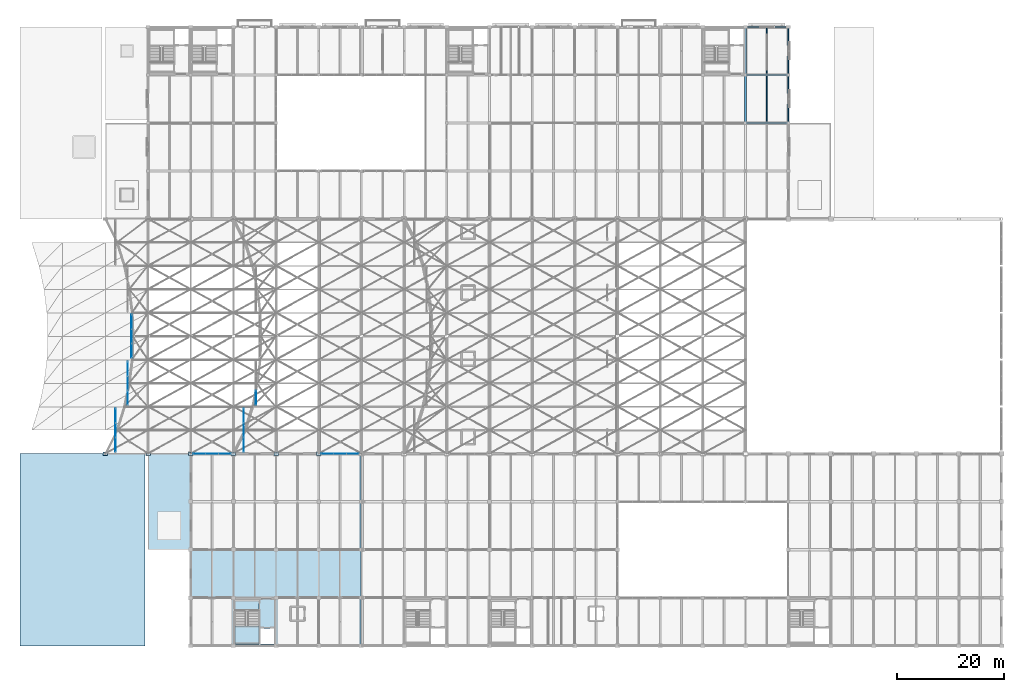
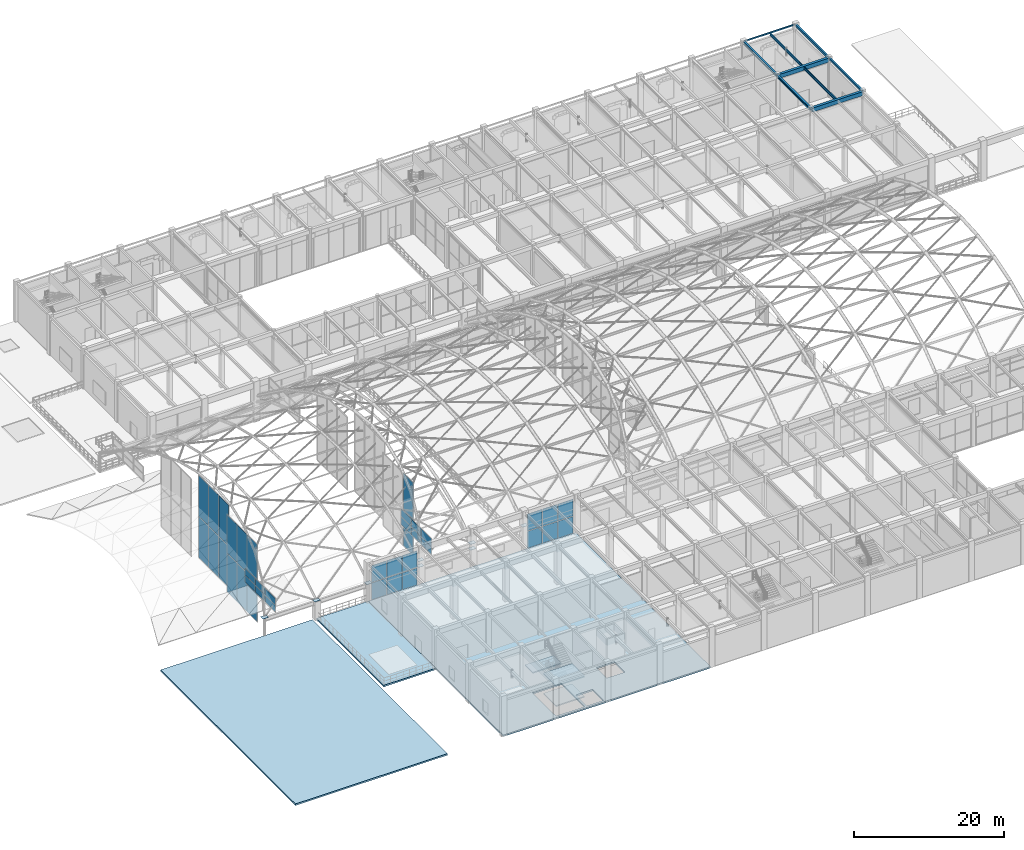
# One storey, part 112 of 163: 46 plates, 9 beams, 6 slabs, 8 elements without a shape of their own.
"""IFC4 building model written with IfcOpenShell, lengths in metres."""

from ifc_helpers import new_model, si_unit, direction, frame, origin, origin_2d, place, context, subcontext, project, spatial, polyline, rectangle, hollow_rectangle, i_section, outline, extrude, material, layer, layer_set, material_profile, profile_set, type_object, element, aggregate, save


model = new_model("IFC4")

# Units and contexts
model_context = context("Model", 3, precision=1e-05, world=origin(), true_north=direction((0.0, 1.0)))
body_context = subcontext(model_context, "Body", "Model", "MODEL_VIEW")
ifc_project = project(units=[si_unit("LENGTHUNIT", "METRE"), si_unit("AREAUNIT", "SQUARE_METRE"), si_unit("VOLUMEUNIT", "CUBIC_METRE"), si_unit("PLANEANGLEUNIT", "RADIAN"), si_unit("MASSUNIT", "GRAM", prefix="KILO")], contexts=[model_context])

# Site, building, storey
site_placement = place(None, origin())
site = spatial("IfcSite", under=ifc_project, at=site_placement, CompositionType="ELEMENT")
building_placement = place(site_placement, origin())
building = spatial("IfcBuilding", under=site, at=building_placement, Name="Varnabhumi Central Station", CompositionType="ELEMENT")
storey_placement = place(building_placement, frame((0.0, 0.0, 9.60009765625)))
storey = spatial("IfcBuildingStorey", under=building, at=storey_placement, Name="L02", CompositionType="ELEMENT", Elevation=9.60009765625)

# Beams
ifc_material_1 = material(Name="Structural steel E350", Category="steel")
ifc_material_profile_1 = material_profile(ifc_material_1, i_section(OverallWidth=0.14990234375, OverallDepth=0.449951171875, WebThickness=0.009521484375, FlangeThickness=0.017333984375, FilletRadius=0.014892578125, at=origin_2d()), Name="Structural steel E350", Category="steel")
ifc_profile_set_1 = profile_set([ifc_material_profile_1], Name="Structural steel E350")
beam_type_1 = type_object("IfcBeamType", Name="BM-JST-ISMB450", PredefinedType="JOIST", material=ifc_profile_set_1)
beam_1_placement = place(storey_placement, frame((140.0, 98.199951171875, 6.125), z_axis=(0.0, 1.0, 0.0), x_axis=(-1.0, 0.0, 0.0)))
element("IfcBeam", 1, at=beam_1_placement, inside=storey, type_object=beam_type_1, Name="Secondary Joist L02-18/19:M-N", PredefinedType="JOIST", context=body_context, shape_type="SweptSolid", body=[
    extrude(i_section(OverallWidth=0.14990234375, OverallDepth=0.449951171875, WebThickness=0.009521484375, FlangeThickness=0.017333984375, FilletRadius=0.014892578125, at=origin_2d()), origin(), (0.0, 0.0, 1.0), 8.60009765625),
])
beam_2_placement = place(storey_placement, frame((140.0, 107.199951171875, 6.125), z_axis=(0.0, 1.0, 0.0), x_axis=(-1.0, 0.0, 0.0)))
element("IfcBeam", 2, at=beam_2_placement, inside=storey, type_object=beam_type_1, Name="Secondary Joist L02-18/19:N-P", PredefinedType="JOIST", context=body_context, shape_type="SweptSolid", body=[
    extrude(i_section(OverallWidth=0.14990234375, OverallDepth=0.449951171875, WebThickness=0.009521484375, FlangeThickness=0.017333984375, FilletRadius=0.014892578125, at=origin_2d()), origin(), (0.0, 0.0, 1.0), 8.739990234375),
])
ifc_material_2 = material(Name="Concrete M35", Category="concrete")
ifc_material_profile_2 = material_profile(ifc_material_2, rectangle(XDim=0.25, YDim=0.35009765625, at=origin_2d()), Name="Concrete M35", Category="concrete")
ifc_profile_set_2 = profile_set([ifc_material_profile_2], Name="Concrete M35")
beam_type_2 = type_object("IfcBeamType", Name="BM-RC-250x350", PredefinedType="LINTEL", material=ifc_profile_set_2)
for number, where, z_axis, x_axis, name in (
    (3, (144.0, 98.10009765625, 6.1748046875), (0.0, 1.0, 0.0), (-1.0, 0.0, 0.0), "Beam L02-19:M-N"),
    (4, (144.0, 107.10009765625, 6.1748046875), (0.0, 1.0, 0.0), (-1.0, 0.0, 0.0), "Beam L02-19:N-P"),
):
    element("IfcBeam", number, at=place(storey_placement, frame(where, z_axis=z_axis, x_axis=x_axis)), inside=storey, type_object=beam_type_2, Name=name, PredefinedType="LINTEL", context=body_context, shape_type="SweptSolid", body=[
        extrude(rectangle(XDim=0.25, YDim=0.35009765625, at=origin_2d()), origin(), (0.0, 0.0, 1.0), 8.7998046875),
    ])
ifc_material_3 = material(Name="Concrete M40", Category="concrete")
ifc_material_profile_3 = material_profile(ifc_material_3, rectangle(XDim=0.39990234375, YDim=0.64990234375, at=origin_2d()), Name="Concrete M40", Category="concrete")
ifc_profile_set_3 = profile_set([ifc_material_profile_3], Name="Concrete M40")
beam_type_3 = type_object("IfcBeamType", Name="BM-RC-400x650", PredefinedType="BEAM", material=ifc_profile_set_3)
for number, where, z_axis, x_axis, name in (
    (5, (136.10009765625, 98.0, 6.02490234375), (1.0, 0.0, 0.0), (0.0, 1.0, 0.0), "Beam L02-M:18-19"),
    (6, (136.10009765625, 107.0, 6.02490234375), (1.0, 0.0, 0.0), (0.0, 1.0, 0.0), "Beam L02-N:18-19"),
):
    element("IfcBeam", number, at=place(storey_placement, frame(where, z_axis=z_axis, x_axis=x_axis)), inside=storey, type_object=beam_type_3, Name=name, PredefinedType="BEAM", context=body_context, shape_type="SweptSolid", body=[
        extrude(rectangle(XDim=0.39990234375, YDim=0.64990234375, at=origin_2d()), origin(), (0.0, 0.0, 1.0), 7.7998046875),
    ])
ifc_material_profile_4 = material_profile(ifc_material_1, hollow_rectangle(XDim=0.1201171875, YDim=0.239990234375, WallThickness=0.008056640625, InnerFilletRadius=0.008056640625, OuterFilletRadius=0.01611328125, at=origin_2d()), Name="Structural steel E350", Category="steel")
ifc_profile_set_4 = profile_set([ifc_material_profile_4], Name="Structural steel E350")
beam_type_4 = type_object("IfcBeamType", Name="BM-STL-RHS240", PredefinedType="SPANDREL", material=ifc_profile_set_4)
beam_3_placement = place(storey_placement, frame((136.10009765625, 116.0, 6.22998046875), z_axis=(1.0, 0.0, 0.0), x_axis=(0.0, 1.0, 0.0)))
element("IfcBeam", 7, at=beam_3_placement, inside=storey, type_object=beam_type_4, Name="Beam L02-P:18-19", PredefinedType="SPANDREL", context=body_context, shape_type="SweptSolid", body=[
    extrude(hollow_rectangle(XDim=0.1201171875, YDim=0.239990234375, WallThickness=0.008056640625, InnerFilletRadius=0.008056640625, OuterFilletRadius=0.01611328125, at=origin_2d()), origin(), (0.0, 0.0, 1.0), 7.7998046875),
])
ifc_material_profile_5 = material_profile(ifc_material_1, i_section(OverallWidth=0.300048828125, OverallDepth=0.449951171875, WebThickness=0.013916015625, FlangeThickness=0.02587890625, FilletRadius=0.027099609375, at=origin_2d()), Name="Structural steel E350", Category="steel")
ifc_profile_set_5 = profile_set([ifc_material_profile_5], Name="Structural steel E350")
beam_type_5 = type_object("IfcBeamType", Name="BM-STL-WPB450", PredefinedType="BEAM", material=ifc_profile_set_5)
for number, where, z_axis, x_axis, name in (
    (8, (136.0, 98.10009765625, 6.125), (0.0, 1.0, 0.0), (-1.0, 0.0, 0.0), "Beam L02-18:M-N"),
    (9, (136.0, 107.10009765625, 6.125), (0.0, 1.0, 0.0), (-1.0, 0.0, 0.0), "Beam L02-18:N-P"),
):
    element("IfcBeam", number, at=place(storey_placement, frame(where, z_axis=z_axis, x_axis=x_axis)), inside=storey, type_object=beam_type_5, Name=name, PredefinedType="BEAM", context=body_context, shape_type="SweptSolid", body=[
        extrude(i_section(OverallWidth=0.300048828125, OverallDepth=0.449951171875, WebThickness=0.013916015625, FlangeThickness=0.02587890625, FilletRadius=0.027099609375, at=origin_2d()), origin(), (0.0, 0.0, 1.0), 8.7998046875),
    ])

# Curtain wall, plates
ifc_material_4 = material(Name="Anodised aluminium 6063-T6", Category="aluminium")
curtain_wall_type_1 = type_object("IfcCurtainWallType", Name="CW-SPINE-SCREEN-L2", PredefinedType="NOTDEFINED", material=ifc_material_4)
curtain_wall_1_placement = place(storey_placement, origin())
curtain_wall_1 = element("IfcCurtainWall", 10, at=curtain_wall_1_placement, inside=storey, type_object=curtain_wall_type_1, Name="Curtain Wall CW-SS200", PredefinedType="NOTDEFINED")
ifc_material_5 = material(Name="Laminated low-E double glazing", Category="glass")
ifc_layer_1 = layer(ifc_material_5, 0.035888671875, Name="Laminated low-E double glazing", Category="glass")
ifc_layer_set_1 = layer_set([ifc_layer_1], Name="Laminated low-E double glazing")
plate_type_1 = type_object("IfcPlateType", Name="CW-PNL-GLZ-3", PredefinedType="CURTAIN_PANEL", material=ifc_layer_set_1)
plate_1_placement = place(storey_placement, frame((33.63330078125, 36.0, 0.0400390625), z_axis=(0.0, 0.0, 1.0), x_axis=(1.0, 0.0, 0.0)))
plate_1 = element("IfcPlate", 11, at=plate_1_placement, type_object=plate_type_1, Name="Glazed Panel CW-SS200-P11", PredefinedType="CURTAIN_PANEL", context=body_context, shape_type="SweptSolid", body=[
    extrude(rectangle(XDim=2.28662109375, YDim=0.035888671875, at=origin_2d()), origin(), (0.0, 0.0, 1.0), 2.739990234375),
])
plate_2_placement = place(storey_placement, frame((33.63330078125, 36.0, 2.85986328125), z_axis=(0.0, 0.0, 1.0), x_axis=(1.0, 0.0, 0.0)))
plate_2 = element("IfcPlate", 12, at=plate_2_placement, type_object=plate_type_1, Name="Glazed Panel CW-SS200-P12", PredefinedType="CURTAIN_PANEL", context=body_context, shape_type="SweptSolid", body=[
    extrude(rectangle(XDim=2.28662109375, YDim=0.035888671875, at=origin_2d()), origin(), (0.0, 0.0, 1.0), 2.739990234375),
])
plate_3_placement = place(storey_placement, frame((36.0, 36.0, 0.0400390625), z_axis=(0.0, 0.0, 1.0), x_axis=(1.0, 0.0, 0.0)))
plate_3 = element("IfcPlate", 13, at=plate_3_placement, type_object=plate_type_1, Name="Glazed Panel CW-SS200-P21", PredefinedType="CURTAIN_PANEL", context=body_context, shape_type="SweptSolid", body=[
    extrude(rectangle(XDim=2.28662109375, YDim=0.035888671875, at=origin_2d()), origin(), (0.0, 0.0, 1.0), 2.739990234375),
])
plate_4_placement = place(storey_placement, frame((36.0, 36.0, 2.85986328125), z_axis=(0.0, 0.0, 1.0), x_axis=(1.0, 0.0, 0.0)))
plate_4 = element("IfcPlate", 14, at=plate_4_placement, type_object=plate_type_1, Name="Glazed Panel CW-SS200-P22", PredefinedType="CURTAIN_PANEL", context=body_context, shape_type="SweptSolid", body=[
    extrude(rectangle(XDim=2.28662109375, YDim=0.035888671875, at=origin_2d()), origin(), (0.0, 0.0, 1.0), 2.739990234375),
])
plate_5_placement = place(storey_placement, frame((38.36669921875, 36.0, 0.0400390625), z_axis=(0.0, 0.0, 1.0), x_axis=(1.0, 0.0, 0.0)))
plate_5 = element("IfcPlate", 15, at=plate_5_placement, type_object=plate_type_1, Name="Glazed Panel CW-SS200-P31", PredefinedType="CURTAIN_PANEL", context=body_context, shape_type="SweptSolid", body=[
    extrude(rectangle(XDim=2.28662109375, YDim=0.035888671875, at=origin_2d()), origin(), (0.0, 0.0, 1.0), 2.739990234375),
])
plate_6_placement = place(storey_placement, frame((38.36669921875, 36.0, 2.85986328125), z_axis=(0.0, 0.0, 1.0), x_axis=(1.0, 0.0, 0.0)))
plate_6 = element("IfcPlate", 16, at=plate_6_placement, type_object=plate_type_1, Name="Glazed Panel CW-SS200-P32", PredefinedType="CURTAIN_PANEL", context=body_context, shape_type="SweptSolid", body=[
    extrude(rectangle(XDim=2.28662109375, YDim=0.035888671875, at=origin_2d()), origin(), (0.0, 0.0, 1.0), 2.739990234375),
])
aggregate(curtain_wall_1, [plate_1, plate_2, plate_3, plate_4, plate_5, plate_6])

curtain_wall_type_2 = type_object("IfcCurtainWallType", Name="CW-VAULT-ARCH-V2", PredefinedType="NOTDEFINED", material=ifc_material_4)
curtain_wall_2_placement = place(storey_placement, origin())
curtain_wall_2 = element("IfcCurtainWall", 17, at=curtain_wall_2_placement, inside=storey, type_object=curtain_wall_type_2, Name="Curtain Wall CW-V21", PredefinedType="NOTDEFINED")
ifc_layer_2 = layer(ifc_material_5, 0.035888671875, Name="Laminated low-E double glazing", Category="glass")
ifc_layer_set_2 = layer_set([ifc_layer_2], Name="Laminated low-E double glazing")
plate_type_2 = type_object("IfcPlateType", Name="CW-PNL-GLZ-5", PredefinedType="CURTAIN_PANEL", material=ifc_layer_set_2)
plate_7_placement = place(storey_placement, frame((17.910888671875, 37.699951171875, 2.93994140625), z_axis=(0.0, 0.0, 1.0), x_axis=(0.0, 1.0, 0.0)))
plate_7 = element("IfcPlate", 18, at=plate_7_placement, type_object=plate_type_2, Name="Glazed Panel CW-V21-P11", PredefinedType="CURTAIN_PANEL", context=body_context, shape_type="SweptSolid", body=[
    extrude(rectangle(XDim=2.6201171875, YDim=0.035888671875, at=origin_2d()), origin(), (0.0, 0.0, 1.0), 1.072265625),
])
plate_8_placement = place(storey_placement, frame((17.910888671875, 37.699951171875, 4.092041015625), z_axis=(0.0, 0.0, 1.0), x_axis=(0.0, 1.0, 0.0)))
plate_8 = element("IfcPlate", 19, at=plate_8_placement, type_object=plate_type_2, Name="Glazed Panel CW-V21-P12", PredefinedType="CURTAIN_PANEL", context=body_context, shape_type="SweptSolid", body=[
    extrude(rectangle(XDim=2.6201171875, YDim=0.035888671875, at=origin_2d()), origin(), (0.0, 0.0, 1.0), 1.072265625),
])
plate_9_placement = place(storey_placement, frame((17.910888671875, 40.39990234375, 2.93994140625), z_axis=(0.0, 0.0, 1.0), x_axis=(0.0, 1.0, 0.0)))
plate_9 = element("IfcPlate", 20, at=plate_9_placement, type_object=plate_type_2, Name="Glazed Panel CW-V21-P21", PredefinedType="CURTAIN_PANEL", context=body_context, shape_type="SweptSolid", body=[
    extrude(rectangle(XDim=2.6201171875, YDim=0.035888671875, at=origin_2d()), origin(), (0.0, 0.0, 1.0), 1.072265625),
])
plate_10_placement = place(storey_placement, frame((17.910888671875, 40.39990234375, 4.092041015625), z_axis=(0.0, 0.0, 1.0), x_axis=(0.0, 1.0, 0.0)))
plate_10 = element("IfcPlate", 21, at=plate_10_placement, type_object=plate_type_2, Name="Glazed Panel CW-V21-P22", PredefinedType="CURTAIN_PANEL", context=body_context, shape_type="SweptSolid", body=[
    extrude(rectangle(XDim=2.6201171875, YDim=0.035888671875, at=origin_2d()), origin(), (0.0, 0.0, 1.0), 1.072265625),
])
plate_11_placement = place(storey_placement, frame((17.910888671875, 43.10009765625, 2.93994140625), z_axis=(0.0, 0.0, 1.0), x_axis=(0.0, 1.0, 0.0)))
plate_11 = element("IfcPlate", 22, at=plate_11_placement, type_object=plate_type_2, Name="Glazed Panel CW-V21-P31", PredefinedType="CURTAIN_PANEL", context=body_context, shape_type="SweptSolid", body=[
    extrude(rectangle(XDim=2.6201171875, YDim=0.035888671875, at=origin_2d()), origin(), (0.0, 0.0, 1.0), 1.072265625),
])
plate_12_placement = place(storey_placement, frame((17.910888671875, 43.10009765625, 4.092041015625), z_axis=(0.0, 0.0, 1.0), x_axis=(0.0, 1.0, 0.0)))
plate_12 = element("IfcPlate", 23, at=plate_12_placement, type_object=plate_type_2, Name="Glazed Panel CW-V21-P32", PredefinedType="CURTAIN_PANEL", context=body_context, shape_type="SweptSolid", body=[
    extrude(rectangle(XDim=2.6201171875, YDim=0.035888671875, at=origin_2d()), origin(), (0.0, 0.0, 1.0), 1.072265625),
])
aggregate(curtain_wall_2, [plate_7, plate_8, plate_9, plate_10, plate_11, plate_12])

curtain_wall_3_placement = place(storey_placement, origin())
curtain_wall_3 = element("IfcCurtainWall", 24, at=curtain_wall_3_placement, inside=storey, type_object=curtain_wall_type_2, Name="Curtain Wall CW-V22", PredefinedType="NOTDEFINED")
plate_13_placement = place(storey_placement, frame((20.18798828125, 46.5, -4.76025390625), z_axis=(0.0, 0.0, 1.0), x_axis=(0.0, 1.0, 0.0)))
plate_13 = element("IfcPlate", 25, at=plate_13_placement, type_object=plate_type_2, Name="Glazed Panel CW-V22-P11", PredefinedType="CURTAIN_PANEL", context=body_context, shape_type="SweptSolid", body=[
    extrude(rectangle(XDim=2.6201171875, YDim=0.035888671875, at=origin_2d()), origin(), (0.0, 0.0, 1.0), 6.236083984375),
])
plate_14_placement = place(storey_placement, frame((20.18798828125, 46.5, 1.55615234375), z_axis=(0.0, 0.0, 1.0), x_axis=(0.0, 1.0, 0.0)))
plate_14 = element("IfcPlate", 26, at=plate_14_placement, type_object=plate_type_2, Name="Glazed Panel CW-V22-P12", PredefinedType="CURTAIN_PANEL", context=body_context, shape_type="SweptSolid", body=[
    extrude(rectangle(XDim=2.6201171875, YDim=0.035888671875, at=origin_2d()), origin(), (0.0, 0.0, 1.0), 6.236083984375),
])
plate_15_placement = place(storey_placement, frame((20.18798828125, 49.199951171875, -4.76025390625), z_axis=(0.0, 0.0, 1.0), x_axis=(0.0, 1.0, 0.0)))
plate_15 = element("IfcPlate", 27, at=plate_15_placement, type_object=plate_type_2, Name="Glazed Panel CW-V22-P21", PredefinedType="CURTAIN_PANEL", context=body_context, shape_type="SweptSolid", body=[
    extrude(rectangle(XDim=2.6201171875, YDim=0.035888671875, at=origin_2d()), origin(), (0.0, 0.0, 1.0), 6.236083984375),
])
plate_16_placement = place(storey_placement, frame((20.18798828125, 49.199951171875, 1.55615234375), z_axis=(0.0, 0.0, 1.0), x_axis=(0.0, 1.0, 0.0)))
plate_16 = element("IfcPlate", 28, at=plate_16_placement, type_object=plate_type_2, Name="Glazed Panel CW-V22-P22", PredefinedType="CURTAIN_PANEL", context=body_context, shape_type="SweptSolid", body=[
    extrude(rectangle(XDim=2.6201171875, YDim=0.035888671875, at=origin_2d()), origin(), (0.0, 0.0, 1.0), 6.236083984375),
])
plate_17_placement = place(storey_placement, frame((20.18798828125, 51.89990234375, -4.76025390625), z_axis=(0.0, 0.0, 1.0), x_axis=(0.0, 1.0, 0.0)))
plate_17 = element("IfcPlate", 29, at=plate_17_placement, type_object=plate_type_2, Name="Glazed Panel CW-V22-P31", PredefinedType="CURTAIN_PANEL", context=body_context, shape_type="SweptSolid", body=[
    extrude(rectangle(XDim=2.6201171875, YDim=0.035888671875, at=origin_2d()), origin(), (0.0, 0.0, 1.0), 6.236083984375),
])
plate_18_placement = place(storey_placement, frame((20.18798828125, 51.89990234375, 1.55615234375), z_axis=(0.0, 0.0, 1.0), x_axis=(0.0, 1.0, 0.0)))
plate_18 = element("IfcPlate", 30, at=plate_18_placement, type_object=plate_type_2, Name="Glazed Panel CW-V22-P32", PredefinedType="CURTAIN_PANEL", context=body_context, shape_type="SweptSolid", body=[
    extrude(rectangle(XDim=2.6201171875, YDim=0.035888671875, at=origin_2d()), origin(), (0.0, 0.0, 1.0), 6.236083984375),
])
aggregate(curtain_wall_3, [plate_13, plate_14, plate_15, plate_16, plate_17, plate_18])

curtain_wall_4_placement = place(storey_placement, origin())
curtain_wall_4 = element("IfcCurtainWall", 31, at=curtain_wall_4_placement, inside=storey, type_object=curtain_wall_type_2, Name="Curtain Wall CW-V23", PredefinedType="NOTDEFINED")
plate_19_placement = place(storey_placement, frame((20.89697265625, 55.300048828125, -4.760009765625), z_axis=(0.0, 0.0, 1.0), x_axis=(0.0, 1.0, 0.0)))
plate_19 = element("IfcPlate", 32, at=plate_19_placement, type_object=plate_type_2, Name="Glazed Panel CW-V23-P11", PredefinedType="CURTAIN_PANEL", context=body_context, shape_type="SweptSolid", body=[
    extrude(rectangle(XDim=2.6201171875, YDim=0.035888671875, at=origin_2d()), origin(), (0.0, 0.0, 1.0), 6.64501953125),
])
plate_20_placement = place(storey_placement, frame((20.89697265625, 55.300048828125, 1.96484375), z_axis=(0.0, 0.0, 1.0), x_axis=(0.0, 1.0, 0.0)))
plate_20 = element("IfcPlate", 33, at=plate_20_placement, type_object=plate_type_2, Name="Glazed Panel CW-V23-P12", PredefinedType="CURTAIN_PANEL", context=body_context, shape_type="SweptSolid", body=[
    extrude(rectangle(XDim=2.6201171875, YDim=0.035888671875, at=origin_2d()), origin(), (0.0, 0.0, 1.0), 6.64501953125),
])
plate_21_placement = place(storey_placement, frame((20.89697265625, 58.0, -4.760009765625), z_axis=(0.0, 0.0, 1.0), x_axis=(0.0, 1.0, 0.0)))
plate_21 = element("IfcPlate", 34, at=plate_21_placement, type_object=plate_type_2, Name="Glazed Panel CW-V23-P21", PredefinedType="CURTAIN_PANEL", context=body_context, shape_type="SweptSolid", body=[
    extrude(rectangle(XDim=2.6201171875, YDim=0.035888671875, at=origin_2d()), origin(), (0.0, 0.0, 1.0), 6.64501953125),
])
plate_22_placement = place(storey_placement, frame((20.89697265625, 58.0, 1.96484375), z_axis=(0.0, 0.0, 1.0), x_axis=(0.0, 1.0, 0.0)))
plate_22 = element("IfcPlate", 35, at=plate_22_placement, type_object=plate_type_2, Name="Glazed Panel CW-V23-P22", PredefinedType="CURTAIN_PANEL", context=body_context, shape_type="SweptSolid", body=[
    extrude(rectangle(XDim=2.6201171875, YDim=0.035888671875, at=origin_2d()), origin(), (0.0, 0.0, 1.0), 6.64501953125),
])
plate_23_placement = place(storey_placement, frame((20.89697265625, 60.699951171875, -4.760009765625), z_axis=(0.0, 0.0, 1.0), x_axis=(0.0, 1.0, 0.0)))
plate_23 = element("IfcPlate", 36, at=plate_23_placement, type_object=plate_type_2, Name="Glazed Panel CW-V23-P31", PredefinedType="CURTAIN_PANEL", context=body_context, shape_type="SweptSolid", body=[
    extrude(rectangle(XDim=2.6201171875, YDim=0.035888671875, at=origin_2d()), origin(), (0.0, 0.0, 1.0), 6.64501953125),
])
plate_24_placement = place(storey_placement, frame((20.89697265625, 60.699951171875, 1.96484375), z_axis=(0.0, 0.0, 1.0), x_axis=(0.0, 1.0, 0.0)))
plate_24 = element("IfcPlate", 37, at=plate_24_placement, type_object=plate_type_2, Name="Glazed Panel CW-V23-P32", PredefinedType="CURTAIN_PANEL", context=body_context, shape_type="SweptSolid", body=[
    extrude(rectangle(XDim=2.6201171875, YDim=0.035888671875, at=origin_2d()), origin(), (0.0, 0.0, 1.0), 6.64501953125),
])
aggregate(curtain_wall_4, [plate_19, plate_20, plate_21, plate_22, plate_23, plate_24])

curtain_wall_5_placement = place(storey_placement, origin())
curtain_wall_5 = element("IfcCurtainWall", 38, at=curtain_wall_5_placement, inside=storey, type_object=curtain_wall_type_1, Name="Curtain Wall CW-SS203", PredefinedType="NOTDEFINED")
ifc_layer_3 = layer(ifc_material_5, 0.035888671875, Name="Laminated low-E double glazing", Category="glass")
ifc_layer_set_3 = layer_set([ifc_layer_3], Name="Laminated low-E double glazing")
plate_type_3 = type_object("IfcPlateType", Name="CW-PNL-GLZ-6", PredefinedType="CURTAIN_PANEL", material=ifc_layer_set_3)
plate_25_placement = place(storey_placement, frame((57.63330078125, 36.0, 0.0400390625), z_axis=(0.0, 0.0, 1.0), x_axis=(1.0, 0.0, 0.0)))
plate_25 = element("IfcPlate", 39, at=plate_25_placement, type_object=plate_type_3, Name="Glazed Panel CW-SS203-P11", PredefinedType="CURTAIN_PANEL", context=body_context, shape_type="SweptSolid", body=[
    extrude(rectangle(XDim=2.28662109375, YDim=0.035888671875, at=origin_2d()), origin(), (0.0, 0.0, 1.0), 2.739990234375),
])
plate_26_placement = place(storey_placement, frame((57.63330078125, 36.0, 2.85986328125), z_axis=(0.0, 0.0, 1.0), x_axis=(1.0, 0.0, 0.0)))
plate_26 = element("IfcPlate", 40, at=plate_26_placement, type_object=plate_type_3, Name="Glazed Panel CW-SS203-P12", PredefinedType="CURTAIN_PANEL", context=body_context, shape_type="SweptSolid", body=[
    extrude(rectangle(XDim=2.28662109375, YDim=0.035888671875, at=origin_2d()), origin(), (0.0, 0.0, 1.0), 2.739990234375),
])
plate_27_placement = place(storey_placement, frame((60.0, 36.0, 0.0400390625), z_axis=(0.0, 0.0, 1.0), x_axis=(1.0, 0.0, 0.0)))
plate_27 = element("IfcPlate", 41, at=plate_27_placement, type_object=plate_type_3, Name="Glazed Panel CW-SS203-P21", PredefinedType="CURTAIN_PANEL", context=body_context, shape_type="SweptSolid", body=[
    extrude(rectangle(XDim=2.28662109375, YDim=0.035888671875, at=origin_2d()), origin(), (0.0, 0.0, 1.0), 2.739990234375),
])
plate_28_placement = place(storey_placement, frame((60.0, 36.0, 2.85986328125), z_axis=(0.0, 0.0, 1.0), x_axis=(1.0, 0.0, 0.0)))
plate_28 = element("IfcPlate", 42, at=plate_28_placement, type_object=plate_type_3, Name="Glazed Panel CW-SS203-P22", PredefinedType="CURTAIN_PANEL", context=body_context, shape_type="SweptSolid", body=[
    extrude(rectangle(XDim=2.28662109375, YDim=0.035888671875, at=origin_2d()), origin(), (0.0, 0.0, 1.0), 2.739990234375),
])
plate_29_placement = place(storey_placement, frame((62.36669921875, 36.0, 0.0400390625), z_axis=(0.0, 0.0, 1.0), x_axis=(1.0, 0.0, 0.0)))
plate_29 = element("IfcPlate", 43, at=plate_29_placement, type_object=plate_type_3, Name="Glazed Panel CW-SS203-P31", PredefinedType="CURTAIN_PANEL", context=body_context, shape_type="SweptSolid", body=[
    extrude(rectangle(XDim=2.28662109375, YDim=0.035888671875, at=origin_2d()), origin(), (0.0, 0.0, 1.0), 2.739990234375),
])
plate_30_placement = place(storey_placement, frame((62.36669921875, 36.0, 2.85986328125), z_axis=(0.0, 0.0, 1.0), x_axis=(1.0, 0.0, 0.0)))
plate_30 = element("IfcPlate", 44, at=plate_30_placement, type_object=plate_type_3, Name="Glazed Panel CW-SS203-P32", PredefinedType="CURTAIN_PANEL", context=body_context, shape_type="SweptSolid", body=[
    extrude(rectangle(XDim=2.28662109375, YDim=0.035888671875, at=origin_2d()), origin(), (0.0, 0.0, 1.0), 2.739990234375),
])
aggregate(curtain_wall_5, [plate_25, plate_26, plate_27, plate_28, plate_29, plate_30])

curtain_wall_type_3 = type_object("IfcCurtainWallType", Name="CW-VAULT-ARCH-V3", PredefinedType="NOTDEFINED", material=ifc_material_4)
curtain_wall_6_placement = place(storey_placement, origin())
curtain_wall_6 = element("IfcCurtainWall", 45, at=curtain_wall_6_placement, inside=storey, type_object=curtain_wall_type_3, Name="Curtain Wall CW-V31", PredefinedType="NOTDEFINED")
ifc_layer_4 = layer(ifc_material_5, 0.035888671875, Name="Laminated low-E double glazing", Category="glass")
ifc_layer_set_4 = layer_set([ifc_layer_4], Name="Laminated low-E double glazing")
plate_type_4 = type_object("IfcPlateType", Name="CW-PNL-GLZ-7", PredefinedType="CURTAIN_PANEL", material=ifc_layer_set_4)
plate_31_placement = place(storey_placement, frame((41.946044921875, 37.699951171875, 3.89013671875), z_axis=(0.0, 0.0, 1.0), x_axis=(0.0, 1.0, 0.0)))
plate_31 = element("IfcPlate", 46, at=plate_31_placement, type_object=plate_type_4, Name="Glazed Panel CW-V31-P11", PredefinedType="CURTAIN_PANEL", context=body_context, shape_type="SweptSolid", body=[
    extrude(rectangle(XDim=2.6201171875, YDim=0.035888671875, at=origin_2d()), origin(), (0.0, 0.0, 1.0), 1.242431640625),
])
plate_32_placement = place(storey_placement, frame((41.946044921875, 37.699951171875, 5.21240234375), z_axis=(0.0, 0.0, 1.0), x_axis=(0.0, 1.0, 0.0)))
plate_32 = element("IfcPlate", 47, at=plate_32_placement, type_object=plate_type_4, Name="Glazed Panel CW-V31-P12", PredefinedType="CURTAIN_PANEL", context=body_context, shape_type="SweptSolid", body=[
    extrude(rectangle(XDim=2.6201171875, YDim=0.035888671875, at=origin_2d()), origin(), (0.0, 0.0, 1.0), 1.242431640625),
])
plate_33_placement = place(storey_placement, frame((41.946044921875, 40.39990234375, 3.89013671875), z_axis=(0.0, 0.0, 1.0), x_axis=(0.0, 1.0, 0.0)))
plate_33 = element("IfcPlate", 48, at=plate_33_placement, type_object=plate_type_4, Name="Glazed Panel CW-V31-P21", PredefinedType="CURTAIN_PANEL", context=body_context, shape_type="SweptSolid", body=[
    extrude(rectangle(XDim=2.6201171875, YDim=0.035888671875, at=origin_2d()), origin(), (0.0, 0.0, 1.0), 1.242431640625),
])
plate_34_placement = place(storey_placement, frame((41.946044921875, 40.39990234375, 5.21240234375), z_axis=(0.0, 0.0, 1.0), x_axis=(0.0, 1.0, 0.0)))
plate_34 = element("IfcPlate", 49, at=plate_34_placement, type_object=plate_type_4, Name="Glazed Panel CW-V31-P22", PredefinedType="CURTAIN_PANEL", context=body_context, shape_type="SweptSolid", body=[
    extrude(rectangle(XDim=2.6201171875, YDim=0.035888671875, at=origin_2d()), origin(), (0.0, 0.0, 1.0), 1.242431640625),
])
plate_35_placement = place(storey_placement, frame((41.946044921875, 43.10009765625, 3.89013671875), z_axis=(0.0, 0.0, 1.0), x_axis=(0.0, 1.0, 0.0)))
plate_35 = element("IfcPlate", 50, at=plate_35_placement, type_object=plate_type_4, Name="Glazed Panel CW-V31-P31", PredefinedType="CURTAIN_PANEL", context=body_context, shape_type="SweptSolid", body=[
    extrude(rectangle(XDim=2.6201171875, YDim=0.035888671875, at=origin_2d()), origin(), (0.0, 0.0, 1.0), 1.242431640625),
])
plate_36_placement = place(storey_placement, frame((41.946044921875, 43.10009765625, 5.21240234375), z_axis=(0.0, 0.0, 1.0), x_axis=(0.0, 1.0, 0.0)))
plate_36 = element("IfcPlate", 51, at=plate_36_placement, type_object=plate_type_4, Name="Glazed Panel CW-V31-P32", PredefinedType="CURTAIN_PANEL", context=body_context, shape_type="SweptSolid", body=[
    extrude(rectangle(XDim=2.6201171875, YDim=0.035888671875, at=origin_2d()), origin(), (0.0, 0.0, 1.0), 1.242431640625),
])
aggregate(curtain_wall_6, [plate_31, plate_32, plate_33, plate_34, plate_35, plate_36])

curtain_wall_7_placement = place(storey_placement, origin())
curtain_wall_7 = element("IfcCurtainWall", 52, at=curtain_wall_7_placement, inside=storey, type_object=curtain_wall_type_3, Name="Curtain Wall CW-V32", PredefinedType="NOTDEFINED")
plate_37_placement = place(storey_placement, frame((44.22412109375, 46.5, -2.35986328125), z_axis=(0.0, 0.0, 1.0), x_axis=(0.0, 1.0, 0.0)))
plate_37 = element("IfcPlate", 53, at=plate_37_placement, type_object=plate_type_4, Name="Glazed Panel CW-V32-P11", PredefinedType="CURTAIN_PANEL", context=body_context, shape_type="SweptSolid", body=[
    extrude(rectangle(XDim=2.6201171875, YDim=0.035888671875, at=origin_2d()), origin(), (0.0, 0.0, 1.0), 5.856689453125),
])
plate_38_placement = place(storey_placement, frame((44.22412109375, 46.5, 3.57666015625), z_axis=(0.0, 0.0, 1.0), x_axis=(0.0, 1.0, 0.0)))
plate_38 = element("IfcPlate", 54, at=plate_38_placement, type_object=plate_type_4, Name="Glazed Panel CW-V32-P12", PredefinedType="CURTAIN_PANEL", context=body_context, shape_type="SweptSolid", body=[
    extrude(rectangle(XDim=2.6201171875, YDim=0.035888671875, at=origin_2d()), origin(), (0.0, 0.0, 1.0), 5.856689453125),
])
aggregate(curtain_wall_7, [plate_37, plate_38])

# Plates
ifc_layer_5 = layer(ifc_material_1, 0.031982421875, Name="Structural steel E350", Category="steel")
ifc_layer_set_5 = layer_set([ifc_layer_5], Name="Structural steel E350")
plate_type_5 = type_object("IfcPlateType", Name="PLT-GUSSET-A", PredefinedType="USERDEFINED", material=ifc_layer_set_5)
for number, where, z_axis, x_axis, name in (
    (55, (16.0, 36.0, 2.98388671875), (0.0, 0.0, 1.0), (1.0, 0.0, 0.0), "Entrance Portico Vault Arch Springing Gusset 1-S"),
    (56, (24.0, 36.0, 2.98388671875), (0.0, 0.0, 1.0), (1.0, 0.0, 0.0), "Entrance Portico Vault Arch Springing Gusset 2-S"),
    (57, (32.0, 36.0, 2.98388671875), (0.0, 0.0, 1.0), (1.0, 0.0, 0.0), "Entrance Portico Vault Arch Springing Gusset 3-S"),
    (58, (40.0, 36.0, 2.98388671875), (0.0, 0.0, 1.0), (1.0, 0.0, 0.0), "Entrance Portico Vault Arch Springing Gusset 4-S"),
    (59, (48.0, 36.0, 2.98388671875), (0.0, 0.0, 1.0), (1.0, 0.0, 0.0), "Entrance Portico Vault Arch Springing Gusset 5-S"),
    (60, (40.0, 36.0, 3.93408203125), (0.0, 0.0, 1.0), (1.0, 0.0, 0.0), "Ticket Hall Vault Arch Springing Gusset 1-S"),
    (61, (48.0, 36.0, 3.93408203125), (0.0, 0.0, 1.0), (1.0, 0.0, 0.0), "Ticket Hall Vault Arch Springing Gusset 2-S"),
    (62, (56.0, 36.0, 3.93408203125), (0.0, 0.0, 1.0), (1.0, 0.0, 0.0), "Ticket Hall Vault Arch Springing Gusset 3-S"),
):
    element("IfcPlate", number, at=place(storey_placement, frame(where, z_axis=z_axis, x_axis=x_axis)), inside=storey, type_object=plate_type_5, Name=name, ObjectType="GUSSET PLATE", PredefinedType="USERDEFINED", context=body_context, shape_type="SweptSolid", body=[
        extrude(rectangle(XDim=0.85009765625, YDim=0.64990234375, at=origin_2d()), origin(), (0.0, 0.0, 1.0), 0.031982421875),
    ])

# Slabs
ifc_layer_6 = layer(ifc_material_3, 0.25, Name="Concrete M40", Category="concrete")
ifc_layer_set_6 = layer_set([ifc_layer_6], Name="Concrete M40")
slab_type_1 = type_object("IfcSlabType", Name="SLB-AZOTEA-200", PredefinedType="ROOF", material=ifc_layer_set_6)
slab_1_placement = place(storey_placement, frame((0.0, 0.0, -0.25)))
element("IfcSlab", 63, at=slab_1_placement, inside=storey, type_object=slab_type_1, Name="Azotea Roof Garden Slab L02-3", PredefinedType="ROOF", context=body_context, shape_type="SweptSolid", body=[
    extrude(outline(polyline([(24.0, 18.0), (32.0, 18.0), (32.0, 36.0), (24.0, 36.0), (24.0, 18.0)])), origin(), (0.0, 0.0, 1.0), 0.25),
])
ifc_layer_7 = layer(ifc_material_3, 0.219970703125, Name="Concrete M40", Category="concrete")
ifc_layer_set_7 = layer_set([ifc_layer_7], Name="Concrete M40")
slab_type_2 = type_object("IfcSlabType", Name="SLB-ROOF-220", PredefinedType="ROOF", material=ifc_layer_set_7)
slab_2_placement = place(storey_placement, frame((0.0, 0.0, -0.25)))
element("IfcSlab", 64, at=slab_2_placement, inside=storey, type_object=slab_type_2, Name="Weatherproof Flat Roof Slab l02_sw_maint", PredefinedType="ROOF", context=body_context, shape_type="SweptSolid", body=[
    extrude(outline(polyline([(0.0, 0.0), (23.39990234375, 0.0), (23.39990234375, 36.0), (0.0, 36.0), (0.0, 0.0)])), origin(), (0.0, 0.0, 1.0), 0.25),
])

# Stair, slabs
stair_type = type_object("IfcStairType", Name="STR-CORE-6600", PredefinedType="DOUBLE_RETURN_STAIR", material=ifc_material_3)
stair_placement = place(storey_placement, origin())
stair = element("IfcStair", 65, at=stair_placement, inside=storey, type_object=stair_type, Name="Core Stair ST-S1 (L02)", PredefinedType="DOUBLE_RETURN_STAIR")
ifc_layer_8 = layer(ifc_material_3, 0.179931640625, Name="Concrete M40", Category="concrete")
ifc_layer_set_8 = layer_set([ifc_layer_8], Name="Concrete M40")
slab_type_3 = type_object("IfcSlabType", Name="SLB-STAIR-LAND", PredefinedType="LANDING", material=ifc_layer_set_8)
slab_3_placement = place(storey_placement, frame((0.0, 0.0, 1.469970703125)))
slab_3 = element("IfcSlab", 66, at=slab_3_placement, type_object=slab_type_3, Name="ST-S1 L02 Quarter Landing 1", PredefinedType="LANDING", context=body_context, shape_type="SweptSolid", body=[
    extrude(outline(polyline([(40.340087890625, 0.360107421875), (44.760009765625, 0.360107421875), (44.760009765625, 3.72998046875), (40.340087890625, 3.72998046875), (40.340087890625, 0.360107421875)])), origin(), (0.0, 0.0, 1.0), 0.179931640625),
])
slab_4_placement = place(storey_placement, frame((0.0, 0.0, 3.119873046875)))
slab_4 = element("IfcSlab", 67, at=slab_4_placement, type_object=slab_type_3, Name="ST-S1 L02 Mid-Height Landing", PredefinedType="LANDING", context=body_context, shape_type="SweptSolid", body=[
    extrude(outline(polyline([(40.340087890625, 6.580078125), (44.760009765625, 6.580078125), (44.760009765625, 8.639892578125), (40.340087890625, 8.639892578125), (40.340087890625, 6.580078125)])), origin(), (0.0, 0.0, 1.0), 0.179931640625),
])
slab_5_placement = place(storey_placement, frame((0.0, 0.0, 4.77001953125)))
slab_5 = element("IfcSlab", 68, at=slab_5_placement, type_object=slab_type_3, Name="ST-S1 L02 Quarter Landing 3", PredefinedType="LANDING", context=body_context, shape_type="SweptSolid", body=[
    extrude(outline(polyline([(40.340087890625, 0.360107421875), (44.760009765625, 0.360107421875), (44.760009765625, 3.72998046875), (40.340087890625, 3.72998046875), (40.340087890625, 0.360107421875)])), origin(), (0.0, 0.0, 1.0), 0.179931640625),
])
aggregate(stair, [slab_3, slab_4, slab_5])

# Slab
ifc_layer_9 = layer(ifc_material_3, 0.25, Name="Concrete M40", Category="concrete")
ifc_layer_set_9 = layer_set([ifc_layer_9], Name="Concrete M40")
slab_type_4 = type_object("IfcSlabType", Name="SLB-WING-250", PredefinedType="FLOOR", material=ifc_layer_set_9)
slab_6_placement = place(storey_placement, frame((0.0, 0.0, -0.25)))
element("IfcSlab", 69, at=slab_6_placement, inside=storey, type_object=slab_type_4, Name="South Wing L02 Floor Slab Zone 1", PredefinedType="FLOOR", context=body_context, shape_type="SweptSolid", body=[
    extrude(outline(polyline([(32.0, 0.0), (63.93994140625, 0.0), (63.93994140625, 36.0), (32.0, 36.0), (32.0, 0.0)]), holes=[polyline([(40.330078125, 0.35009765625), (44.760009765625, 0.35009765625), (44.760009765625, 6.580078125), (40.330078125, 6.580078125), (40.330078125, 0.35009765625)]), polyline([(45.0400390625, 0.35009765625), (47.669921875, 0.35009765625), (47.669921875, 3.25), (45.0400390625, 3.25), (45.0400390625, 0.35009765625)]), polyline([(50.60009765625, 4.60009765625), (53.39990234375, 4.60009765625), (53.39990234375, 7.39990234375), (50.60009765625, 7.39990234375), (50.60009765625, 4.60009765625)])]), origin(), (0.0, 0.0, 1.0), 0.25),
])

save(model, "model.ifc")
